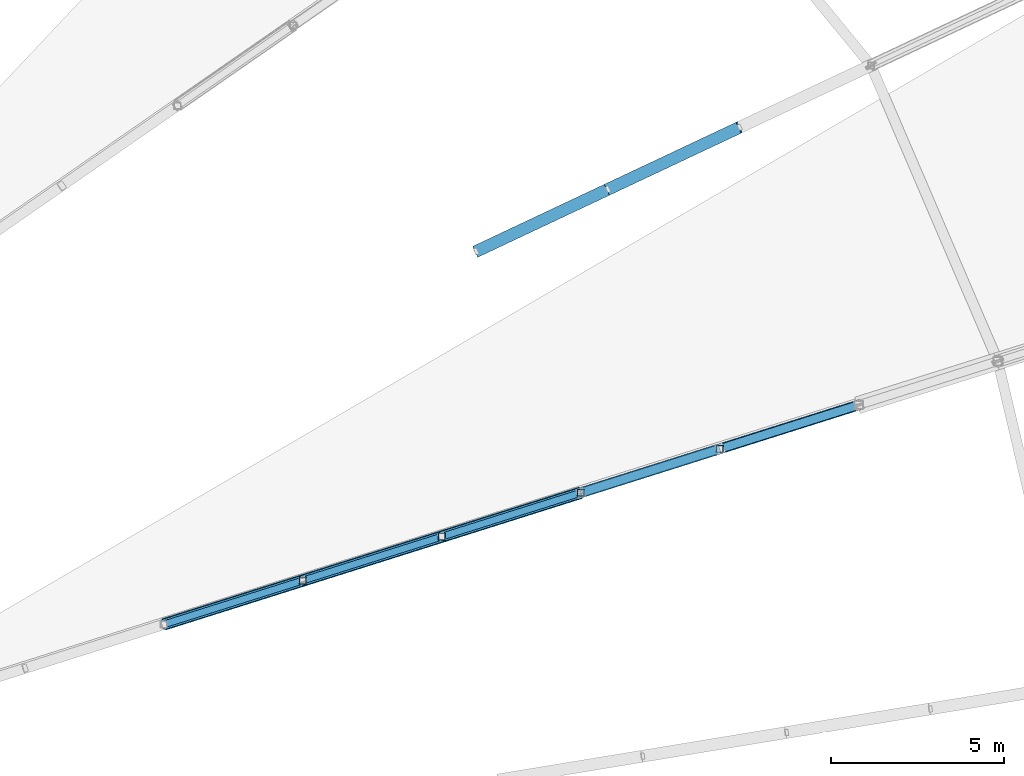
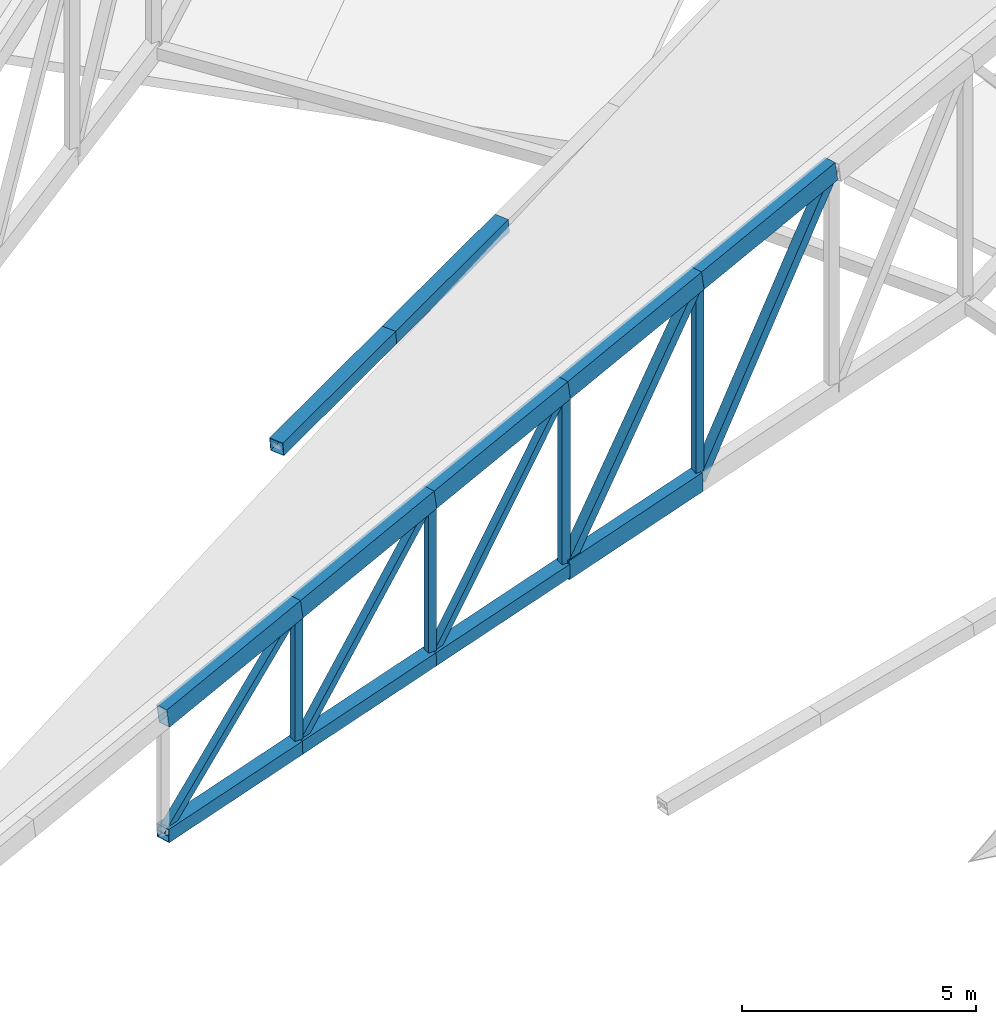
# One storey, part 99 of 188: 20 members.
"""IFC4 building model written with IfcOpenShell, lengths in metres."""

from ifc_helpers import new_model, si_unit, direction, frame, origin, origin_2d, place, context, subcontext, project, spatial, hollow_rectangle, extrude, material, material_profile, profile_set, type_object, element, save


model = new_model("IFC4")

# Units and contexts
model_context = context("Model", 3, precision=1e-05, world=origin(), true_north=direction((0.0, 1.0)))
body_context = subcontext(model_context, "Body", "Model", "MODEL_VIEW")
ifc_project = project(units=[si_unit("LENGTHUNIT", "METRE"), si_unit("AREAUNIT", "SQUARE_METRE"), si_unit("VOLUMEUNIT", "CUBIC_METRE"), si_unit("PLANEANGLEUNIT", "RADIAN"), si_unit("MASSUNIT", "GRAM", prefix="KILO")], contexts=[model_context])

# Site, building, storey
site_placement = place(None, origin())
site = spatial("IfcSite", under=ifc_project, at=site_placement, CompositionType="ELEMENT")
building_placement = place(site_placement, origin())
building = spatial("IfcBuilding", under=site, at=building_placement, Name="Meseta Stadium", CompositionType="ELEMENT")
storey_placement = place(building_placement, frame((0.0, 0.0, 30.0)))
storey = spatial("IfcBuildingStorey", under=building, at=storey_placement, Name="ROOF", CompositionType="ELEMENT", Elevation=30.0)

# Members
ifc_material_1 = material(Name="Steel S355", Category="steel")
ifc_material_profile_1 = material_profile(ifc_material_1, hollow_rectangle(XDim=0.300048828125, YDim=0.5, WallThickness=0.01611328125, at=origin_2d()), Name="RHS 500x300x16")
ifc_profile_set_1 = profile_set([ifc_material_profile_1], Name="Steel S355")
member_type_1 = type_object("IfcMemberType", Name="RHS 500x300x16 bottom chord", PredefinedType="CHORD", material=ifc_profile_set_1)
member_1_placement = place(storey_placement, frame((70.041015625, 59.377197265625, 1.029541015625), z_axis=(0.953197796459, 0.300952032874, 0.02901438842), x_axis=(-0.301078788848, 0.953599267463, 0.0)))
element("IfcMember", 1, at=member_1_placement, inside=storey, type_object=member_type_1, Name="ROOF TRUSS RT-10 bottom chord", PredefinedType="CHORD", context=body_context, shape_type="SweptSolid", body=[
    extrude(hollow_rectangle(XDim=0.300048828125, YDim=0.5, WallThickness=0.01611328125, at=origin_2d()), origin(), (0.0, 0.0, 1.0), 4.22412109375),
])
ifc_material_2 = material(Name="Steel S355", Category="steel")
ifc_material_profile_2 = material_profile(ifc_material_2, hollow_rectangle(XDim=0.300048828125, YDim=0.5, WallThickness=0.01611328125, at=origin_2d()), Name="RHS 500x300x16")
ifc_profile_set_2 = profile_set([ifc_material_profile_2], Name="Steel S355")
member_type_2 = type_object("IfcMemberType", Name="RHS 500x300x16 top chord", PredefinedType="CHORD", material=ifc_profile_set_2)
for number, where, z_axis, x_axis, name in (
    (2, (57.962158203125, 55.563232421875, 3.7060546875), (0.941784516986, 0.297348531406, 0.156926015806), (-0.301078788848, 0.953599267463, 0.0), "ROOF TRUSS RT-10 top chord"),
    (3, (61.988525390625, 56.83447265625, 4.376953125), (0.941770505325, 0.297419246361, 0.156876088662), (-0.301147972296, 0.953577421493, 0.0), "ROOF TRUSS RT-10 top chord"),
    (4, (66.0146484375, 58.10595703125, 5.047607421875), (0.941792955219, 0.297351195599, 0.156870315789), (-0.301078788848, 0.953599267463, 0.0), "ROOF TRUSS RT-10 top chord"),
    (5, (70.041015625, 59.377197265625, 5.71826171875), (0.941784516986, 0.297348531406, 0.156926015806), (-0.301078788848, 0.953599267463, 0.0), "ROOF TRUSS RT-10 top chord"),
    (6, (74.0673828125, 60.6484375, 6.38916015625), (0.941770505325, 0.297419246361, 0.156876088662), (-0.301147972296, 0.953577421493, 0.0), "ROOF TRUSS RT-10 top chord"),
):
    element("IfcMember", number, at=place(storey_placement, frame(where, z_axis=z_axis, x_axis=x_axis)), inside=storey, type_object=member_type_2, Name=name, PredefinedType="CHORD", context=body_context, shape_type="SweptSolid", body=[
        extrude(hollow_rectangle(XDim=0.300048828125, YDim=0.5, WallThickness=0.01611328125, at=origin_2d()), origin(), (0.0, 0.0, 1.0), 4.275146484375),
    ])
ifc_material_3 = material(Name="Steel S355", Category="steel")
ifc_material_profile_3 = material_profile(ifc_material_3, hollow_rectangle(XDim=0.199951171875, YDim=0.199951171875, WallThickness=0.008056640625, at=origin_2d()), Name="SHS 200x200x8")
ifc_profile_set_3 = profile_set([ifc_material_profile_3], Name="Steel S355")
member_type_3 = type_object("IfcMemberType", Name="SHS 200x200x8 diagonal", PredefinedType="BRACE", material=ifc_profile_set_3)
member_2_placement = place(storey_placement, frame((57.962158203125, 55.563232421875, 0.66162109375), z_axis=(0.715903246669, 0.226031300352, 0.660600024728), x_axis=(-0.301078788848, 0.953599267463, 0.0)))
element("IfcMember", 7, at=member_2_placement, inside=storey, type_object=member_type_3, Name="ROOF TRUSS RT-10 diagonal", PredefinedType="BRACE", context=body_context, shape_type="SweptSolid", body=[
    extrude(hollow_rectangle(XDim=0.199951171875, YDim=0.199951171875, WallThickness=0.008056640625, at=origin_2d()), origin(), (0.0, 0.0, 1.0), 5.624267578125),
])
member_3_placement = place(storey_placement, frame((61.988525390625, 56.83447265625, 0.7841796875), z_axis=(0.670991102731, 0.211904776122, 0.710540150809), x_axis=(-0.301147972296, 0.953577421493, 0.0)))
element("IfcMember", 8, at=member_3_placement, inside=storey, type_object=member_type_3, Name="ROOF TRUSS RT-10 diagonal", PredefinedType="BRACE", context=body_context, shape_type="SweptSolid", body=[
    extrude(hollow_rectangle(XDim=0.199951171875, YDim=0.199951171875, WallThickness=0.008056640625, at=origin_2d()), origin(), (0.0, 0.0, 1.0), 6.000244140625),
])
member_4_placement = place(storey_placement, frame((66.0146484375, 58.10595703125, 0.906982421875), z_axis=(0.628996320769, 0.198592277604, 0.751614752207), x_axis=(-0.301078788848, 0.953599267463, 0.0)))
element("IfcMember", 9, at=member_4_placement, inside=storey, type_object=member_type_3, Name="ROOF TRUSS RT-10 diagonal", PredefinedType="BRACE", context=body_context, shape_type="SweptSolid", body=[
    extrude(hollow_rectangle(XDim=0.199951171875, YDim=0.199951171875, WallThickness=0.008056640625, at=origin_2d()), origin(), (0.0, 0.0, 1.0), 6.4013671875),
])
ifc_material_4 = material(Name="Steel S355", Category="steel")
ifc_material_profile_4 = material_profile(ifc_material_4, hollow_rectangle(XDim=0.199951171875, YDim=0.199951171875, WallThickness=0.008056640625, at=origin_2d()), Name="SHS 200x200x8")
ifc_profile_set_4 = profile_set([ifc_material_profile_4], Name="Steel S355")
member_type_4 = type_object("IfcMemberType", Name="SHS 200x200x8 post", PredefinedType="POST", material=ifc_profile_set_4)
member_5_placement = place(storey_placement, frame((61.988525390625, 56.83447265625, 0.7841796875), z_axis=(0.0, 0.0, 1.0), x_axis=(1.0, 0.0, 0.0)))
element("IfcMember", 10, at=member_5_placement, inside=storey, type_object=member_type_4, Name="ROOF TRUSS RT-10 post", PredefinedType="POST", context=body_context, shape_type="SweptSolid", body=[
    extrude(hollow_rectangle(XDim=0.199951171875, YDim=0.199951171875, WallThickness=0.008056640625, at=origin_2d()), origin(), (0.0, 0.0, 1.0), 3.5927734375),
])
member_6_placement = place(storey_placement, frame((66.0146484375, 58.10595703125, 0.906982421875), z_axis=(0.0, 0.0, 1.0), x_axis=(1.0, 0.0, 0.0)))
element("IfcMember", 11, at=member_6_placement, inside=storey, type_object=member_type_4, Name="ROOF TRUSS RT-10 post", PredefinedType="POST", context=body_context, shape_type="SweptSolid", body=[
    extrude(hollow_rectangle(XDim=0.199951171875, YDim=0.199951171875, WallThickness=0.008056640625, at=origin_2d()), origin(), (0.0, 0.0, 1.0), 4.140625),
])
member_7_placement = place(storey_placement, frame((70.041015625, 59.377197265625, 1.029541015625), z_axis=(0.0, 0.0, 1.0), x_axis=(1.0, 0.0, 0.0)))
element("IfcMember", 12, at=member_7_placement, inside=storey, type_object=member_type_4, Name="ROOF TRUSS RT-10 post", PredefinedType="POST", context=body_context, shape_type="SweptSolid", body=[
    extrude(hollow_rectangle(XDim=0.199951171875, YDim=0.199951171875, WallThickness=0.008056640625, at=origin_2d()), origin(), (0.0, 0.0, 1.0), 4.688720703125),
])
member_8_placement = place(storey_placement, frame((74.0673828125, 60.6484375, 1.152099609375), z_axis=(0.0, 0.0, 1.0), x_axis=(1.0, 0.0, 0.0)))
element("IfcMember", 13, at=member_8_placement, inside=storey, type_object=member_type_4, Name="ROOF TRUSS RT-10 post", PredefinedType="POST", context=body_context, shape_type="SweptSolid", body=[
    extrude(hollow_rectangle(XDim=0.199951171875, YDim=0.199951171875, WallThickness=0.008056640625, at=origin_2d()), origin(), (0.0, 0.0, 1.0), 5.237060546875),
])
ifc_material_5 = material(Name="Steel S355", Category="steel")
ifc_material_profile_5 = material_profile(ifc_material_5, hollow_rectangle(XDim=0.25, YDim=0.25, WallThickness=0.010009765625, at=origin_2d()), Name="SHS 250x250x10")
ifc_profile_set_5 = profile_set([ifc_material_profile_5], Name="Steel S355")
member_type_5 = type_object("IfcMemberType", Name="SHS 250x250x10 diagonal", PredefinedType="BRACE", material=ifc_profile_set_5)
member_9_placement = place(storey_placement, frame((70.041015625, 59.377197265625, 1.029541015625), z_axis=(0.590117644506, 0.186317158316, 0.785523444691), x_axis=(-0.301078788848, 0.953599267463, 0.0)))
element("IfcMember", 14, at=member_9_placement, inside=storey, type_object=member_type_5, Name="ROOF TRUSS RT-10 diagonal", PredefinedType="BRACE", context=body_context, shape_type="SweptSolid", body=[
    extrude(hollow_rectangle(XDim=0.25, YDim=0.25, WallThickness=0.010009765625, at=origin_2d()), origin(), (0.0, 0.0, 1.0), 6.822998046875),
])
member_10_placement = place(storey_placement, frame((74.0673828125, 60.6484375, 1.152099609375), z_axis=(0.554458091097, 0.175102646197, 0.813581765106), x_axis=(-0.301147972296, 0.953577421493, 0.0)))
element("IfcMember", 15, at=member_10_placement, inside=storey, type_object=member_type_5, Name="ROOF TRUSS RT-10 diagonal", PredefinedType="BRACE", context=body_context, shape_type="SweptSolid", body=[
    extrude(hollow_rectangle(XDim=0.25, YDim=0.25, WallThickness=0.010009765625, at=origin_2d()), origin(), (0.0, 0.0, 1.0), 7.261474609375),
])
ifc_material_6 = material(Name="Steel S355", Category="steel")
ifc_material_profile_6 = material_profile(ifc_material_6, hollow_rectangle(XDim=0.35009765625, YDim=0.35009765625, WallThickness=0.010009765625, at=origin_2d()), Name="SHS 350x350x10")
ifc_profile_set_6 = profile_set([ifc_material_profile_6], Name="Steel S355")
member_type_6 = type_object("IfcMemberType", Name="SHS 350x350x10 top chord", PredefinedType="CHORD", material=ifc_profile_set_6)
for number, where, z_axis, x_axis, name in (
    (16, (66.999755859375, 66.3642578125, 1.00439453125), (0.898670254409, 0.423370475009, 0.114670025423), (-0.426181724525, 0.904637572556, 0.0), "ROOF TRUSS RT-11 top chord"),
    (17, (70.81494140625, 68.16162109375, 1.4912109375), (0.89869213364, 0.423323273547, 0.114672817206), (-0.426134347878, 0.904659890544, 0.0), "ROOF TRUSS RT-11 top chord"),
):
    element("IfcMember", number, at=place(storey_placement, frame(where, z_axis=z_axis, x_axis=x_axis)), inside=storey, type_object=member_type_6, Name=name, PredefinedType="CHORD", context=body_context, shape_type="SweptSolid", body=[
        extrude(hollow_rectangle(XDim=0.35009765625, YDim=0.35009765625, WallThickness=0.010009765625, at=origin_2d()), origin(), (0.0, 0.0, 1.0), 4.245361328125),
    ])
ifc_material_7 = material(Name="Steel S355", Category="steel")
ifc_material_profile_7 = material_profile(ifc_material_7, hollow_rectangle(XDim=0.35009765625, YDim=0.35009765625, WallThickness=0.01416015625, at=origin_2d()), Name="SHS 350x350x14.2")
ifc_profile_set_7 = profile_set([ifc_material_profile_7], Name="Steel S355")
member_type_7 = type_object("IfcMemberType", Name="SHS 350x350x14.2 bottom chord", PredefinedType="CHORD", material=ifc_profile_set_7)
member_11_placement = place(storey_placement, frame((57.962158203125, 55.563232421875, 0.66162109375), z_axis=(0.953197796459, 0.300952032874, 0.02901438842), x_axis=(-0.301078788848, 0.953599267463, 0.0)))
element("IfcMember", 18, at=member_11_placement, inside=storey, type_object=member_type_7, Name="ROOF TRUSS RT-10 bottom chord", PredefinedType="CHORD", context=body_context, shape_type="SweptSolid", body=[
    extrude(hollow_rectangle(XDim=0.35009765625, YDim=0.35009765625, WallThickness=0.01416015625, at=origin_2d()), origin(), (0.0, 0.0, 1.0), 4.22412109375),
])
member_12_placement = place(storey_placement, frame((61.988525390625, 56.83447265625, 0.7841796875), z_axis=(0.953174329263, 0.301020672294, 0.029073233134), x_axis=(-0.301147972296, 0.953577421493, 0.0)))
element("IfcMember", 19, at=member_12_placement, inside=storey, type_object=member_type_7, Name="ROOF TRUSS RT-10 bottom chord", PredefinedType="CHORD", context=body_context, shape_type="SweptSolid", body=[
    extrude(hollow_rectangle(XDim=0.35009765625, YDim=0.35009765625, WallThickness=0.01416015625, at=origin_2d()), origin(), (0.0, 0.0, 1.0), 4.223876953125),
])
member_13_placement = place(storey_placement, frame((66.0146484375, 58.10595703125, 0.906982421875), z_axis=(0.953197796459, 0.300952032874, 0.02901438842), x_axis=(-0.301078788848, 0.953599267463, 0.0)))
element("IfcMember", 20, at=member_13_placement, inside=storey, type_object=member_type_7, Name="ROOF TRUSS RT-10 bottom chord", PredefinedType="CHORD", context=body_context, shape_type="SweptSolid", body=[
    extrude(hollow_rectangle(XDim=0.35009765625, YDim=0.35009765625, WallThickness=0.01416015625, at=origin_2d()), origin(), (0.0, 0.0, 1.0), 4.22412109375),
])

save(model, "model.ifc")
